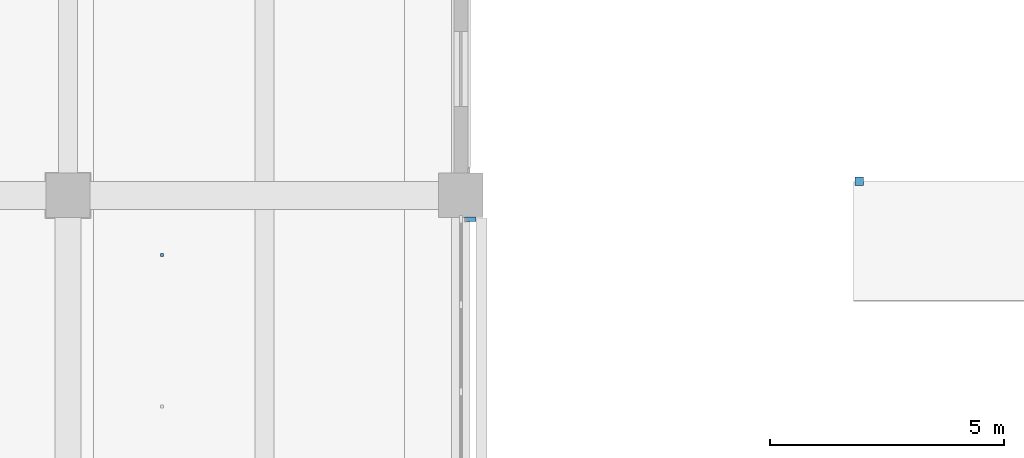
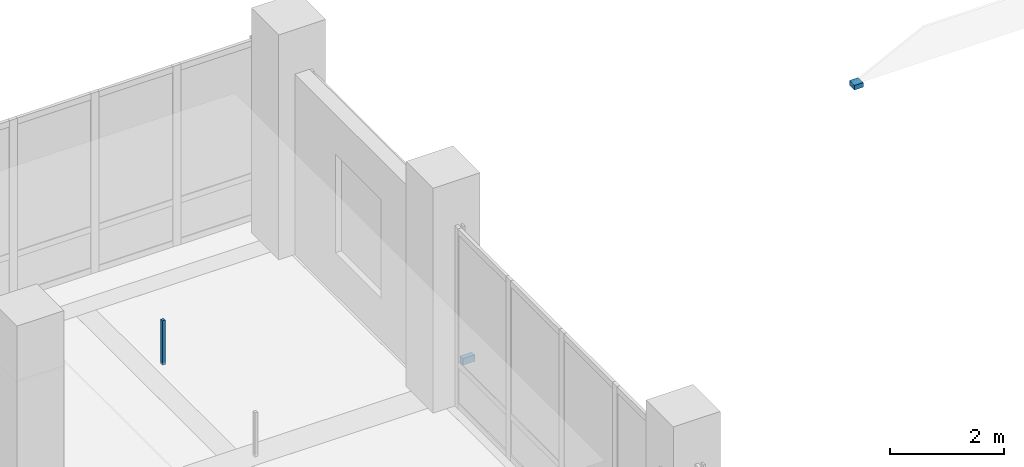
# One storey, part 79 of 122: 3 discrete accessories.
"""IFC4 building model written with IfcOpenShell, lengths in metres."""

from ifc_helpers import new_model, si_unit, direction, frame, origin, origin_2d, place, context, subcontext, project, spatial, rectangle, extrude, material, type_object, element, save


model = new_model("IFC4")

# Units and contexts
model_context = context("Model", 3, precision=1e-05, world=origin(), true_north=direction((0.0, 1.0)))
body_context = subcontext(model_context, "Body", "Model", "MODEL_VIEW")
ifc_project = project(units=[si_unit("LENGTHUNIT", "METRE"), si_unit("AREAUNIT", "SQUARE_METRE"), si_unit("VOLUMEUNIT", "CUBIC_METRE"), si_unit("PLANEANGLEUNIT", "RADIAN"), si_unit("MASSUNIT", "GRAM", prefix="KILO")], contexts=[model_context])

# Site, building, storey
site_placement = place(None, origin())
site = spatial("IfcSite", under=ifc_project, at=site_placement, CompositionType="ELEMENT")
building_placement = place(site_placement, origin())
building = spatial("IfcBuilding", under=site, at=building_placement, Name="Telukmera Botanical Conservatory", CompositionType="ELEMENT")
storey_placement = place(building_placement, frame((0.0, 0.0, 10.199951171875)))
storey = spatial("IfcBuildingStorey", under=building, at=storey_placement, Name="L02", CompositionType="ELEMENT", Elevation=10.199951171875)

# Discrete accessories
ifc_material = material(Name="Steel S355", Category="steel")
discrete_accessory_type_1 = type_object("IfcDiscreteAccessoryType", Name="ACC-CEIL-HGR", PredefinedType="BRACKET", material=ifc_material)
discrete_accessory_1_placement = place(storey_placement, frame((102.80908203125, 41.52490234375, 3.60986328125), z_axis=(0.0, 0.0, 1.0), x_axis=(1.0, 0.0, 0.0)))
element("IfcDiscreteAccessory", 1, at=discrete_accessory_1_placement, inside=storey, type_object=discrete_accessory_type_1, Name="L02 Suspended Ceiling Hanger Rod 048-2", PredefinedType="BRACKET", context=body_context, shape_type="SweptSolid", body=[
    extrude(rectangle(XDim=0.06005859375, YDim=0.06005859375, at=origin_2d()), origin(), (0.0, 0.0, 1.0), 0.945068359375),
])
discrete_accessory_type_2 = type_object("IfcDiscreteAccessoryType", Name="Structural Steel Facade Outrigger Fin Bracket", PredefinedType="BRACKET", material=ifc_material)
discrete_accessory_2_placement = place(storey_placement, frame((109.39990234375, 42.29052734375, 0.8798828125), z_axis=(0.0, 0.0, 1.0), x_axis=(0.0, 1.0, 0.0)))
element("IfcDiscreteAccessory", 2, at=discrete_accessory_2_placement, inside=storey, type_object=discrete_accessory_type_2, Name="Facade Outrigger Bracket V4:L02:E4 B", PredefinedType="BRACKET", context=body_context, shape_type="SweptSolid", body=[
    extrude(rectangle(XDim=0.10009765625, YDim=0.239990234375, at=origin_2d()), origin(), (0.0, 0.0, 1.0), 0.139892578125),
])
discrete_accessory_type_3 = type_object("IfcDiscreteAccessoryType", Name="Structural Steel Gridshell Glazing Shoe Bracket", PredefinedType="BRACKET", material=ifc_material)
discrete_accessory_3_placement = place(storey_placement, frame((117.719970703125, 43.10009765625, 3.365234375), z_axis=(0.0, 0.0, 1.0), x_axis=(1.0, 0.0, 0.0)))
element("IfcDiscreteAccessory", 3, at=discrete_accessory_3_placement, inside=storey, type_object=discrete_accessory_type_3, Name="Conservatory Node Glazing Spider Bracket 00-10", PredefinedType="BRACKET", context=body_context, shape_type="SweptSolid", body=[
    extrude(rectangle(XDim=0.179931640625, YDim=0.179931640625, at=origin_2d()), origin(), (0.0, 0.0, 1.0), 0.094970703125),
])

save(model, "model.ifc")
